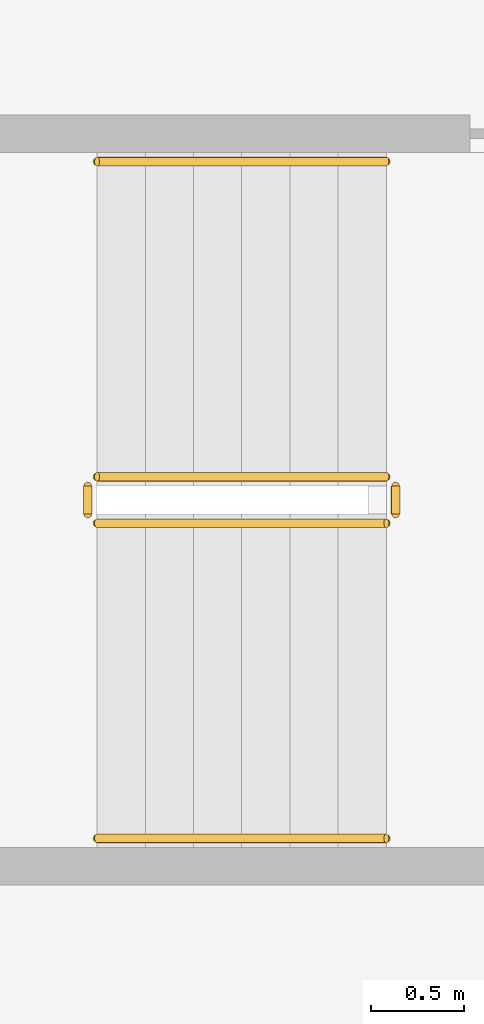
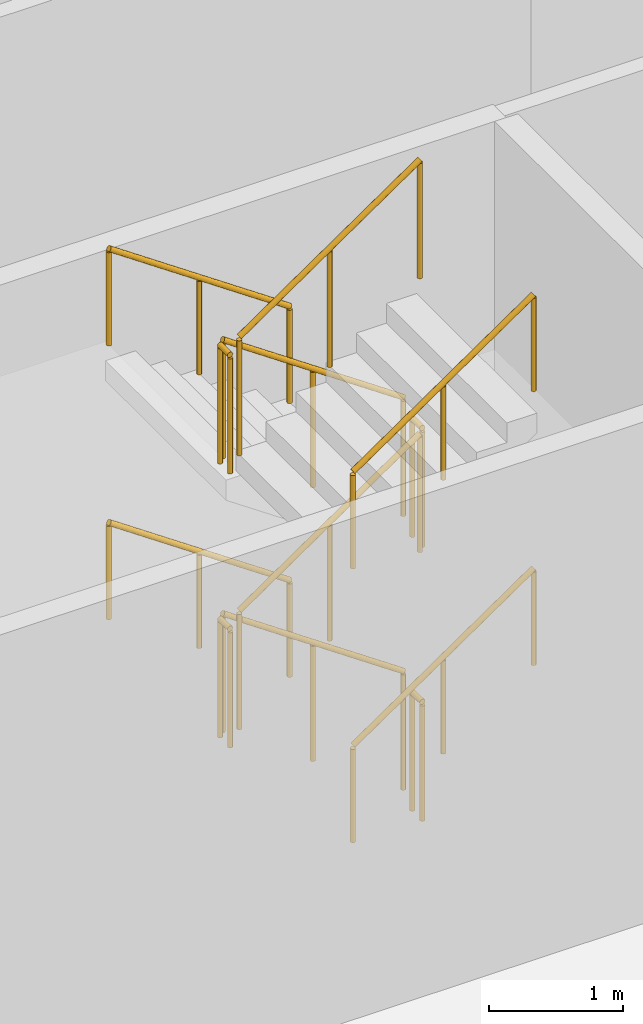
# One storey, part 57 of 59: 12 railings.
"""IFC4 building model written with IfcOpenShell, lengths in metres."""

from ifc_helpers import new_model, si_unit, direction, frame, origin, origin_2d, place, context, subcontext, project, spatial, circle, extrude, material, type_object, element, save


model = new_model("IFC4")

# Units and contexts
model_context = context("Model", 3, precision=1e-05, world=origin(), true_north=direction((0.0, 1.0)))
body_context = subcontext(model_context, "Body", "Model", "MODEL_VIEW")
ifc_project = project(units=[si_unit("LENGTHUNIT", "METRE"), si_unit("AREAUNIT", "SQUARE_METRE"), si_unit("VOLUMEUNIT", "CUBIC_METRE"), si_unit("PLANEANGLEUNIT", "RADIAN"), si_unit("MASSUNIT", "GRAM", prefix="KILO")], contexts=[model_context])

# Site, building, storey
site_placement = place(None, origin())
site = spatial("IfcSite", under=ifc_project, at=site_placement, CompositionType="ELEMENT")
building_placement = place(site_placement, origin())
building = spatial("IfcBuilding", under=site, at=building_placement, Name="Ipe Terrace Towers", CompositionType="ELEMENT")
storey_placement = place(building_placement, frame((0.0, 0.0, 6.0)))
storey = spatial("IfcBuildingStorey", under=building, at=storey_placement, Name="L01", CompositionType="ELEMENT", Elevation=6.0)

# Railings
ifc_material_1 = material(Name="Steel S355", Category="steel")
railing_type_1 = type_object("IfcRailingType", Name="Stair guard 1100", PredefinedType="GUARDRAIL", material=ifc_material_1)
railing_1_placement = place(storey_placement, frame((-0.75, 24.64990234375, 0.178466796875)))
element("IfcRailing", 1, at=railing_1_placement, inside=storey, type_object=railing_type_1, Name="L01 PS2 stair guard 1", PredefinedType="GUARDRAIL", context=body_context, shape_type="SweptSolid", body=[
    extrude(circle(Radius=0.02392578125, at=origin_2d()), frame((0.0, 0.0, 1.076171875), z_axis=(-0.82429025813, 0.0, 0.566167440208), x_axis=(0.0, -1.0, 0.0)), (0.0, 0.0, 1.0), 1.892578125),
    extrude(circle(Radius=0.02099609375, at=origin_2d()), origin(), (0.0, 0.0, 1.0), 1.052001953125),
    extrude(circle(Radius=0.02099609375, at=origin_2d()), frame((-0.780029296875, 0.0, 0.53564453125)), (0.0, 0.0, 1.0), 1.052001953125),
    extrude(circle(Radius=0.02099609375, at=origin_2d()), frame((-1.56005859375, 0.0, 1.071533203125)), (0.0, 0.0, 1.0), 1.052001953125),
])
railing_2_placement = place(storey_placement, frame((-2.360107421875, 24.60009765625, 1.25)))
element("IfcRailing", 2, at=railing_2_placement, inside=storey, type_object=railing_type_1, Name="L01 PS2 stair guard 2", PredefinedType="GUARDRAIL", context=body_context, shape_type="SweptSolid", body=[
    extrude(circle(Radius=0.02392578125, at=origin_2d()), frame((0.0, 0.0, 1.076171875), z_axis=(0.0, -1.0, 0.0), x_axis=(1.0, 0.0, 0.0)), (0.0, 0.0, 1.0), 0.150146484375),
    extrude(circle(Radius=0.02099609375, at=origin_2d()), origin(), (0.0, 0.0, 1.0), 1.052001953125),
    extrude(circle(Radius=0.02099609375, at=origin_2d()), frame((0.0, -0.150146484375, 0.0)), (0.0, 0.0, 1.0), 1.052001953125),
])
railing_3_placement = place(storey_placement, frame((-2.31005859375, 24.39990234375, 1.428466796875)))
element("IfcRailing", 3, at=railing_3_placement, inside=storey, type_object=railing_type_1, Name="L01 PS2 stair guard 3", PredefinedType="GUARDRAIL", context=body_context, shape_type="SweptSolid", body=[
    extrude(circle(Radius=0.02392578125, at=origin_2d()), frame((0.0, 0.0, 1.076171875), z_axis=(0.82429025813, 0.0, 0.566167440208), x_axis=(0.0, 1.0, 0.0)), (0.0, 0.0, 1.0), 1.892578125),
    extrude(circle(Radius=0.02099609375, at=origin_2d()), origin(), (0.0, 0.0, 1.0), 1.052001953125),
    extrude(circle(Radius=0.02099609375, at=origin_2d()), frame((0.780029296875, 0.0, 0.53564453125)), (0.0, 0.0, 1.0), 1.052001953125),
    extrude(circle(Radius=0.02099609375, at=origin_2d()), frame((1.56005859375, 0.0, 1.071533203125)), (0.0, 0.0, 1.0), 1.052001953125),
])
railing_4_placement = place(storey_placement, frame((-0.699951171875, 24.60009765625, 2.5)))
element("IfcRailing", 4, at=railing_4_placement, inside=storey, type_object=railing_type_1, Name="L01 PS2 stair guard 4", PredefinedType="GUARDRAIL", context=body_context, shape_type="SweptSolid", body=[
    extrude(circle(Radius=0.02392578125, at=origin_2d()), frame((0.0, 0.0, 1.076171875), z_axis=(0.0, -1.0, 0.0), x_axis=(1.0, 0.0, 0.0)), (0.0, 0.0, 1.0), 0.150146484375),
    extrude(circle(Radius=0.02099609375, at=origin_2d()), origin(), (0.0, 0.0, 1.0), 1.052001953125),
    extrude(circle(Radius=0.02099609375, at=origin_2d()), frame((0.0, -0.150146484375, 0.0)), (0.0, 0.0, 1.0), 1.052001953125),
])
railing_5_placement = place(storey_placement, frame((-0.75, 24.64990234375, 2.678466796875)))
element("IfcRailing", 5, at=railing_5_placement, inside=storey, type_object=railing_type_1, Name="L01 PS2 stair guard 5", PredefinedType="GUARDRAIL", context=body_context, shape_type="SweptSolid", body=[
    extrude(circle(Radius=0.02392578125, at=origin_2d()), frame((0.0, 0.0, 1.076171875), z_axis=(-0.82429025813, 0.0, 0.566167440208), x_axis=(0.0, -1.0, 0.0)), (0.0, 0.0, 1.0), 1.892578125),
    extrude(circle(Radius=0.02099609375, at=origin_2d()), origin(), (0.0, 0.0, 1.0), 1.052001953125),
    extrude(circle(Radius=0.02099609375, at=origin_2d()), frame((-0.780029296875, 0.0, 0.53564453125)), (0.0, 0.0, 1.0), 1.052001953125),
    extrude(circle(Radius=0.02099609375, at=origin_2d()), frame((-1.56005859375, 0.0, 1.071533203125)), (0.0, 0.0, 1.0), 1.052001953125),
])
railing_6_placement = place(storey_placement, frame((-2.360107421875, 24.60009765625, 3.75)))
element("IfcRailing", 6, at=railing_6_placement, inside=storey, type_object=railing_type_1, Name="L01 PS2 stair guard 6", PredefinedType="GUARDRAIL", context=body_context, shape_type="SweptSolid", body=[
    extrude(circle(Radius=0.02392578125, at=origin_2d()), frame((0.0, 0.0, 1.076171875), z_axis=(0.0, -1.0, 0.0), x_axis=(1.0, 0.0, 0.0)), (0.0, 0.0, 1.0), 0.150146484375),
    extrude(circle(Radius=0.02099609375, at=origin_2d()), origin(), (0.0, 0.0, 1.0), 1.052001953125),
    extrude(circle(Radius=0.02099609375, at=origin_2d()), frame((0.0, -0.150146484375, 0.0)), (0.0, 0.0, 1.0), 1.052001953125),
])
railing_7_placement = place(storey_placement, frame((-2.31005859375, 24.39990234375, 3.928466796875)))
element("IfcRailing", 7, at=railing_7_placement, inside=storey, type_object=railing_type_1, Name="L01 PS2 stair guard 7", PredefinedType="GUARDRAIL", context=body_context, shape_type="SweptSolid", body=[
    extrude(circle(Radius=0.02392578125, at=origin_2d()), frame((0.0, 0.0, 1.076171875), z_axis=(0.82429025813, 0.0, 0.566167440208), x_axis=(0.0, 1.0, 0.0)), (0.0, 0.0, 1.0), 1.892578125),
    extrude(circle(Radius=0.02099609375, at=origin_2d()), origin(), (0.0, 0.0, 1.0), 1.052001953125),
    extrude(circle(Radius=0.02099609375, at=origin_2d()), frame((0.780029296875, 0.0, 0.53564453125)), (0.0, 0.0, 1.0), 1.052001953125),
    extrude(circle(Radius=0.02099609375, at=origin_2d()), frame((1.56005859375, 0.0, 1.071533203125)), (0.0, 0.0, 1.0), 1.052001953125),
])
railing_8_placement = place(storey_placement, frame((-0.699951171875, 24.60009765625, 0.0)))
element("IfcRailing", 8, at=railing_8_placement, inside=storey, type_object=railing_type_1, Name="L01 PS2 stair guard 8", PredefinedType="GUARDRAIL", context=body_context, shape_type="SweptSolid", body=[
    extrude(circle(Radius=0.02392578125, at=origin_2d()), frame((0.0, 0.0, 1.076171875), z_axis=(0.0, -1.0, 0.0), x_axis=(1.0, 0.0, 0.0)), (0.0, 0.0, 1.0), 0.150146484375),
    extrude(circle(Radius=0.02099609375, at=origin_2d()), origin(), (0.0, 0.0, 1.0), 1.052001953125),
    extrude(circle(Radius=0.02099609375, at=origin_2d()), frame((0.0, -0.150146484375, 0.0)), (0.0, 0.0, 1.0), 1.052001953125),
])
ifc_material_2 = material(Name="Stainless steel grade 304", Category="steel")
railing_type_2 = type_object("IfcRailingType", Name="Stair handrail 900", PredefinedType="HANDRAIL", material=ifc_material_2)
railing_9_placement = place(storey_placement, frame((-0.75, 26.35009765625, 0.178466796875)))
element("IfcRailing", 9, at=railing_9_placement, inside=storey, type_object=railing_type_2, Name="L01 PS2 stair handrail 1", PredefinedType="HANDRAIL", context=body_context, shape_type="SweptSolid", body=[
    extrude(circle(Radius=0.02392578125, at=origin_2d()), frame((0.0, 0.0, 0.8759765625), z_axis=(-0.82429025813, 0.0, 0.566167440208), x_axis=(0.0, -1.0, 0.0)), (0.0, 0.0, 1.0), 1.892578125),
    extrude(circle(Radius=0.02099609375, at=origin_2d()), origin(), (0.0, 0.0, 1.0), 0.851806640625),
    extrude(circle(Radius=0.02099609375, at=origin_2d()), frame((-0.780029296875, 0.0, 0.53564453125)), (0.0, 0.0, 1.0), 0.851806640625),
    extrude(circle(Radius=0.02099609375, at=origin_2d()), frame((-1.56005859375, 0.0, 1.071533203125)), (0.0, 0.0, 1.0), 0.851806640625),
])
railing_10_placement = place(storey_placement, frame((-2.31005859375, 22.699951171875, 1.428466796875)))
element("IfcRailing", 10, at=railing_10_placement, inside=storey, type_object=railing_type_2, Name="L01 PS2 stair handrail 2", PredefinedType="HANDRAIL", context=body_context, shape_type="SweptSolid", body=[
    extrude(circle(Radius=0.02392578125, at=origin_2d()), frame((0.0, 0.0, 0.8759765625), z_axis=(0.82429025813, 0.0, 0.566167440208), x_axis=(0.0, 1.0, 0.0)), (0.0, 0.0, 1.0), 1.892578125),
    extrude(circle(Radius=0.02099609375, at=origin_2d()), origin(), (0.0, 0.0, 1.0), 0.851806640625),
    extrude(circle(Radius=0.02099609375, at=origin_2d()), frame((0.780029296875, 0.0, 0.53564453125)), (0.0, 0.0, 1.0), 0.851806640625),
    extrude(circle(Radius=0.02099609375, at=origin_2d()), frame((1.56005859375, 0.0, 1.071533203125)), (0.0, 0.0, 1.0), 0.851806640625),
])
railing_11_placement = place(storey_placement, frame((-0.75, 26.35009765625, 2.678466796875)))
element("IfcRailing", 11, at=railing_11_placement, inside=storey, type_object=railing_type_2, Name="L01 PS2 stair handrail 3", PredefinedType="HANDRAIL", context=body_context, shape_type="SweptSolid", body=[
    extrude(circle(Radius=0.02392578125, at=origin_2d()), frame((0.0, 0.0, 0.8759765625), z_axis=(-0.82429025813, 0.0, 0.566167440208), x_axis=(0.0, -1.0, 0.0)), (0.0, 0.0, 1.0), 1.892578125),
    extrude(circle(Radius=0.02099609375, at=origin_2d()), origin(), (0.0, 0.0, 1.0), 0.851806640625),
    extrude(circle(Radius=0.02099609375, at=origin_2d()), frame((-0.780029296875, 0.0, 0.53564453125)), (0.0, 0.0, 1.0), 0.851806640625),
    extrude(circle(Radius=0.02099609375, at=origin_2d()), frame((-1.56005859375, 0.0, 1.071533203125)), (0.0, 0.0, 1.0), 0.851806640625),
])
railing_12_placement = place(storey_placement, frame((-2.31005859375, 22.699951171875, 3.928466796875)))
element("IfcRailing", 12, at=railing_12_placement, inside=storey, type_object=railing_type_2, Name="L01 PS2 stair handrail 4", PredefinedType="HANDRAIL", context=body_context, shape_type="SweptSolid", body=[
    extrude(circle(Radius=0.02392578125, at=origin_2d()), frame((0.0, 0.0, 0.8759765625), z_axis=(0.82429025813, 0.0, 0.566167440208), x_axis=(0.0, 1.0, 0.0)), (0.0, 0.0, 1.0), 1.892578125),
    extrude(circle(Radius=0.02099609375, at=origin_2d()), origin(), (0.0, 0.0, 1.0), 0.851806640625),
    extrude(circle(Radius=0.02099609375, at=origin_2d()), frame((0.780029296875, 0.0, 0.53564453125)), (0.0, 0.0, 1.0), 0.851806640625),
    extrude(circle(Radius=0.02099609375, at=origin_2d()), frame((1.56005859375, 0.0, 1.071533203125)), (0.0, 0.0, 1.0), 0.851806640625),
])

save(model, "model.ifc")
